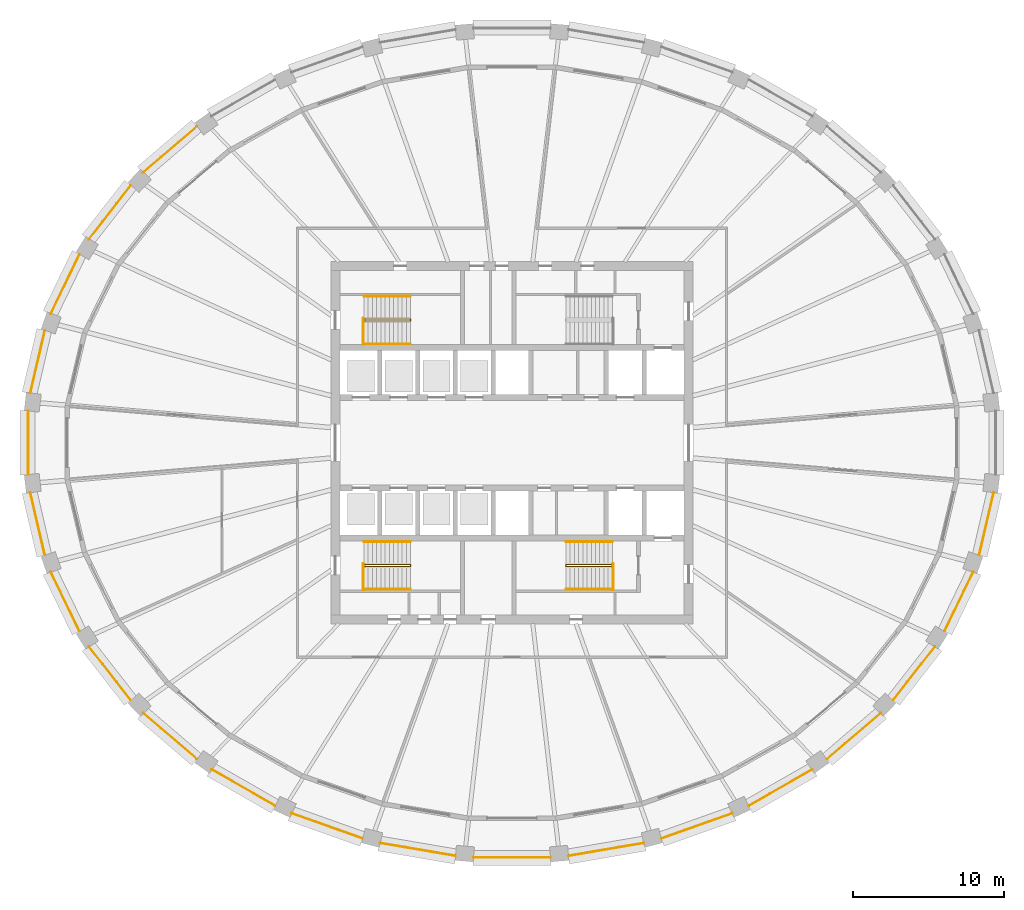
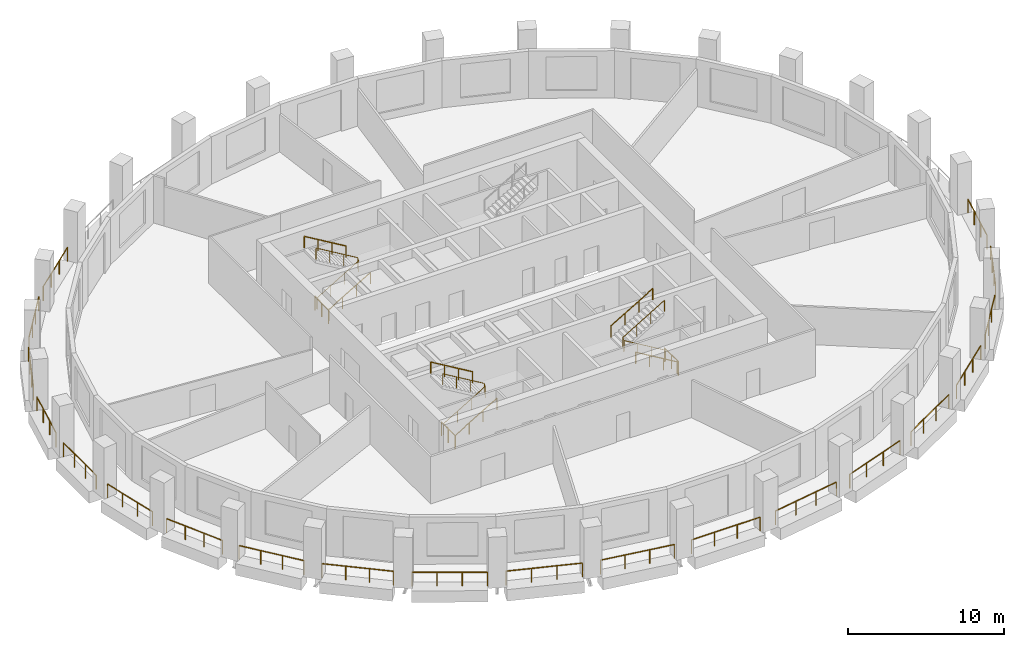
# One storey, part 8 of 10: 32 railings.
"""IFC4 building model written with IfcOpenShell, lengths in metres."""

from ifc_helpers import new_model, si_unit, direction, frame, origin, origin_2d, place, context, subcontext, project, spatial, circle, extrude, material, type_object, element, save


model = new_model("IFC4")

# Units and contexts
model_context = context("Model", 3, precision=1e-05, world=origin(), true_north=direction((0.0, 1.0)))
body_context = subcontext(model_context, "Body", "Model", "MODEL_VIEW")
ifc_project = project(units=[si_unit("LENGTHUNIT", "METRE"), si_unit("AREAUNIT", "SQUARE_METRE"), si_unit("VOLUMEUNIT", "CUBIC_METRE"), si_unit("PLANEANGLEUNIT", "RADIAN"), si_unit("MASSUNIT", "GRAM", prefix="KILO")], contexts=[model_context])

# Site, building, storey
site_placement = place(None, origin())
site = spatial("IfcSite", under=ifc_project, at=site_placement, CompositionType="ELEMENT")
building_placement = place(site_placement, origin())
building = spatial("IfcBuilding", under=site, at=building_placement, Name="Halqa Exchange Tower", CompositionType="ELEMENT")
storey_placement = place(building_placement, frame((0.0, 0.0, 210.89990234375)))
storey = spatial("IfcBuildingStorey", under=building, at=storey_placement, Name="L48", CompositionType="ELEMENT", Elevation=210.89990234375)

# Railings
ifc_material = material(Name="Stainless steel", Category="steel")
railing_type_1 = type_object("IfcRailingType", Name="Guard 1100 stainless steel", PredefinedType="GUARDRAIL", material=ifc_material)
railing_1_placement = place(storey_placement, frame((-20.87646484375, 20.937744140625, 0.0)))
element("IfcRailing", 1, at=railing_1_placement, inside=storey, type_object=railing_type_1, Name="Loggia guard 12", PredefinedType="GUARDRAIL", context=body_context, shape_type="SweptSolid", body=[
    extrude(circle(Radius=0.02392578125, at=origin_2d()), frame((0.0, 0.0, 1.076171875), z_axis=(-0.759260287114, -0.650787074558, 0.0), x_axis=(0.650787074558, -0.759260287114, 0.0)), (0.0, 0.0, 1.0), 4.677001953125),
    extrude(circle(Radius=0.02099609375, at=origin_2d()), origin(), (0.0, 0.0, 1.0), 1.052001953125),
    extrude(circle(Radius=0.02099609375, at=origin_2d()), frame((-1.18359375, -1.0146484375, 0.0)), (0.0, 0.0, 1.0), 1.052001953125),
    extrude(circle(Radius=0.02099609375, at=origin_2d()), frame((-2.367431640625, -2.029052734375, 0.0)), (0.0, 0.0, 1.0), 1.052001953125),
    extrude(circle(Radius=0.02099609375, at=origin_2d()), frame((-3.551025390625, -3.043701171875, 0.0)), (0.0, 0.0, 1.0), 1.052001953125),
])
railing_2_placement = place(storey_placement, frame((-25.251953125, 17.030517578125, 0.0)))
element("IfcRailing", 2, at=railing_2_placement, inside=storey, type_object=railing_type_1, Name="Loggia guard 13", PredefinedType="GUARDRAIL", context=body_context, shape_type="SweptSolid", body=[
    extrude(circle(Radius=0.02392578125, at=origin_2d()), frame((0.0, 0.0, 1.076171875), z_axis=(-0.614792407737, -0.788688972529, 0.0), x_axis=(0.788688972529, -0.614792407737, 0.0)), (0.0, 0.0, 1.0), 4.50244140625),
    extrude(circle(Radius=0.02099609375, at=origin_2d()), origin(), (0.0, 0.0, 1.0), 1.052001953125),
    extrude(circle(Radius=0.02099609375, at=origin_2d()), frame((-0.922607421875, -1.18359375, 0.0)), (0.0, 0.0, 1.0), 1.052001953125),
    extrude(circle(Radius=0.02099609375, at=origin_2d()), frame((-1.845458984375, -2.367431640625, 0.0)), (0.0, 0.0, 1.0), 1.052001953125),
    extrude(circle(Radius=0.02099609375, at=origin_2d()), frame((-2.76806640625, -3.551025390625, 0.0)), (0.0, 0.0, 1.0), 1.052001953125),
])
railing_3_placement = place(storey_placement, frame((-28.64990234375, 12.46630859375, 0.0)))
element("IfcRailing", 3, at=railing_3_placement, inside=storey, type_object=railing_type_1, Name="Loggia guard 14", PredefinedType="GUARDRAIL", context=body_context, shape_type="SweptSolid", body=[
    extrude(circle(Radius=0.02392578125, at=origin_2d()), frame((0.0, 0.0, 1.076171875), z_axis=(-0.435072359018, -0.900395492225, 0.0), x_axis=(0.900395492225, -0.435072359018, 0.0)), (0.0, 0.0, 1.0), 4.35009765625),
    extrude(circle(Radius=0.02099609375, at=origin_2d()), origin(), (0.0, 0.0, 1.0), 1.052001953125),
    extrude(circle(Radius=0.02099609375, at=origin_2d()), frame((-0.630859375, -1.3056640625, 0.0)), (0.0, 0.0, 1.0), 1.052001953125),
    extrude(circle(Radius=0.02099609375, at=origin_2d()), frame((-1.26171875, -2.611083984375, 0.0)), (0.0, 0.0, 1.0), 1.052001953125),
    extrude(circle(Radius=0.02099609375, at=origin_2d()), frame((-1.892578125, -3.916748046875, 0.0)), (0.0, 0.0, 1.0), 1.052001953125),
])
railing_4_placement = place(storey_placement, frame((-30.939208984375, 7.4248046875, 0.0)))
element("IfcRailing", 4, at=railing_4_placement, inside=storey, type_object=railing_type_1, Name="Loggia guard 15", PredefinedType="GUARDRAIL", context=body_context, shape_type="SweptSolid", body=[
    extrude(circle(Radius=0.02392578125, at=origin_2d()), frame((0.0, 0.0, 1.076171875), z_axis=(-0.226089761514, -0.974106472486, 0.0), x_axis=(0.974106472486, -0.226089761514, 0.0)), (0.0, 0.0, 1.0), 4.245849609375),
    extrude(circle(Radius=0.02099609375, at=origin_2d()), origin(), (0.0, 0.0, 1.0), 1.052001953125),
    extrude(circle(Radius=0.02099609375, at=origin_2d()), frame((-0.320068359375, -1.378662109375, 0.0)), (0.0, 0.0, 1.0), 1.052001953125),
    extrude(circle(Radius=0.02099609375, at=origin_2d()), frame((-0.639892578125, -2.75732421875, 0.0)), (0.0, 0.0, 1.0), 1.052001953125),
    extrude(circle(Radius=0.02099609375, at=origin_2d()), frame((-0.9599609375, -4.135986328125, 0.0)), (0.0, 0.0, 1.0), 1.052001953125),
])
railing_5_placement = place(storey_placement, frame((-32.034912109375, 2.1044921875, 0.0)))
element("IfcRailing", 5, at=railing_5_placement, inside=storey, type_object=railing_type_1, Name="Loggia guard 16", PredefinedType="GUARDRAIL", context=body_context, shape_type="SweptSolid", body=[
    extrude(circle(Radius=0.02392578125, at=origin_2d()), frame((0.0, 0.0, 1.076171875), z_axis=(0.0, -1.0, 0.0), x_axis=(1.0, 0.0, 0.0)), (0.0, 0.0, 1.0), 4.208984375),
    extrude(circle(Radius=0.02099609375, at=origin_2d()), origin(), (0.0, 0.0, 1.0), 1.052001953125),
    extrude(circle(Radius=0.02099609375, at=origin_2d()), frame((0.0, -1.403076171875, 0.0)), (0.0, 0.0, 1.0), 1.052001953125),
    extrude(circle(Radius=0.02099609375, at=origin_2d()), frame((0.0, -2.805908203125, 0.0)), (0.0, 0.0, 1.0), 1.052001953125),
    extrude(circle(Radius=0.02099609375, at=origin_2d()), frame((0.0, -4.208984375, 0.0)), (0.0, 0.0, 1.0), 1.052001953125),
])
railing_6_placement = place(storey_placement, frame((-31.899169921875, -3.288818359375, 0.0)))
element("IfcRailing", 6, at=railing_6_placement, inside=storey, type_object=railing_type_1, Name="Loggia guard 17", PredefinedType="GUARDRAIL", context=body_context, shape_type="SweptSolid", body=[
    extrude(circle(Radius=0.02392578125, at=origin_2d()), frame((0.0, 0.0, 1.076171875), z_axis=(0.226089761514, -0.974106472486, 0.0), x_axis=(0.974106472486, 0.226089761514, 0.0)), (0.0, 0.0, 1.0), 4.245849609375),
    extrude(circle(Radius=0.02099609375, at=origin_2d()), origin(), (0.0, 0.0, 1.0), 1.052001953125),
    extrude(circle(Radius=0.02099609375, at=origin_2d()), frame((0.320068359375, -1.378662109375, 0.0)), (0.0, 0.0, 1.0), 1.052001953125),
    extrude(circle(Radius=0.02099609375, at=origin_2d()), frame((0.639892578125, -2.75732421875, 0.0)), (0.0, 0.0, 1.0), 1.052001953125),
    extrude(circle(Radius=0.02099609375, at=origin_2d()), frame((0.9599609375, -4.135986328125, 0.0)), (0.0, 0.0, 1.0), 1.052001953125),
])
railing_7_placement = place(storey_placement, frame((-30.54248046875, -8.549560546875, 0.0)))
element("IfcRailing", 7, at=railing_7_placement, inside=storey, type_object=railing_type_1, Name="Loggia guard 18", PredefinedType="GUARDRAIL", context=body_context, shape_type="SweptSolid", body=[
    extrude(circle(Radius=0.02392578125, at=origin_2d()), frame((0.0, 0.0, 1.076171875), z_axis=(0.435072359018, -0.900395492225, 0.0), x_axis=(0.900395492225, 0.435072359018, 0.0)), (0.0, 0.0, 1.0), 4.35009765625),
    extrude(circle(Radius=0.02099609375, at=origin_2d()), origin(), (0.0, 0.0, 1.0), 1.052001953125),
    extrude(circle(Radius=0.02099609375, at=origin_2d()), frame((0.630859375, -1.3056640625, 0.0)), (0.0, 0.0, 1.0), 1.052001953125),
    extrude(circle(Radius=0.02099609375, at=origin_2d()), frame((1.26171875, -2.611083984375, 0.0)), (0.0, 0.0, 1.0), 1.052001953125),
    extrude(circle(Radius=0.02099609375, at=origin_2d()), frame((1.892578125, -3.916748046875, 0.0)), (0.0, 0.0, 1.0), 1.052001953125),
])
railing_8_placement = place(storey_placement, frame((-28.02001953125, -13.4794921875, 0.0)))
element("IfcRailing", 8, at=railing_8_placement, inside=storey, type_object=railing_type_1, Name="Loggia guard 19", PredefinedType="GUARDRAIL", context=body_context, shape_type="SweptSolid", body=[
    extrude(circle(Radius=0.02392578125, at=origin_2d()), frame((0.0, 0.0, 1.076171875), z_axis=(0.614792407737, -0.788688972529, 0.0), x_axis=(0.788688972529, 0.614792407737, 0.0)), (0.0, 0.0, 1.0), 4.50244140625),
    extrude(circle(Radius=0.02099609375, at=origin_2d()), origin(), (0.0, 0.0, 1.0), 1.052001953125),
    extrude(circle(Radius=0.02099609375, at=origin_2d()), frame((0.922607421875, -1.18359375, 0.0)), (0.0, 0.0, 1.0), 1.052001953125),
    extrude(circle(Radius=0.02099609375, at=origin_2d()), frame((1.845458984375, -2.367431640625, 0.0)), (0.0, 0.0, 1.0), 1.052001953125),
    extrude(circle(Radius=0.02099609375, at=origin_2d()), frame((2.76806640625, -3.551025390625, 0.0)), (0.0, 0.0, 1.0), 1.052001953125),
])
railing_9_placement = place(storey_placement, frame((-24.427490234375, -17.89404296875, 0.0)))
element("IfcRailing", 9, at=railing_9_placement, inside=storey, type_object=railing_type_1, Name="Loggia guard 20", PredefinedType="GUARDRAIL", context=body_context, shape_type="SweptSolid", body=[
    extrude(circle(Radius=0.02392578125, at=origin_2d()), frame((0.0, 0.0, 1.076171875), z_axis=(0.759260287114, -0.650787074558, 0.0), x_axis=(0.650787074558, 0.759260287114, 0.0)), (0.0, 0.0, 1.0), 4.677001953125),
    extrude(circle(Radius=0.02099609375, at=origin_2d()), origin(), (0.0, 0.0, 1.0), 1.052001953125),
    extrude(circle(Radius=0.02099609375, at=origin_2d()), frame((1.18359375, -1.0146484375, 0.0)), (0.0, 0.0, 1.0), 1.052001953125),
    extrude(circle(Radius=0.02099609375, at=origin_2d()), frame((2.367431640625, -2.029052734375, 0.0)), (0.0, 0.0, 1.0), 1.052001953125),
    extrude(circle(Radius=0.02099609375, at=origin_2d()), frame((3.551025390625, -3.043701171875, 0.0)), (0.0, 0.0, 1.0), 1.052001953125),
])
railing_10_placement = place(storey_placement, frame((-19.900390625, -21.62646484375, 0.0)))
element("IfcRailing", 10, at=railing_10_placement, inside=storey, type_object=railing_type_1, Name="Loggia guard 21", PredefinedType="GUARDRAIL", context=body_context, shape_type="SweptSolid", body=[
    extrude(circle(Radius=0.02392578125, at=origin_2d()), frame((0.0, 0.0, 1.076171875), z_axis=(0.867774647635, -0.49695790659, 0.0), x_axis=(0.49695790659, 0.867774647635, 0.0)), (0.0, 0.0, 1.0), 4.846435546875),
    extrude(circle(Radius=0.02099609375, at=origin_2d()), origin(), (0.0, 0.0, 1.0), 1.052001953125),
    extrude(circle(Radius=0.02099609375, at=origin_2d()), frame((1.40185546875, -0.802734375, 0.0)), (0.0, 0.0, 1.0), 1.052001953125),
    extrude(circle(Radius=0.02099609375, at=origin_2d()), frame((2.8037109375, -1.605712890625, 0.0)), (0.0, 0.0, 1.0), 1.052001953125),
    extrude(circle(Radius=0.02099609375, at=origin_2d()), frame((4.20556640625, -2.408447265625, 0.0)), (0.0, 0.0, 1.0), 1.052001953125),
])
railing_11_placement = place(storey_placement, frame((-14.608642578125, -24.533935546875, 0.0)))
element("IfcRailing", 11, at=railing_11_placement, inside=storey, type_object=railing_type_1, Name="Loggia guard 22", PredefinedType="GUARDRAIL", context=body_context, shape_type="SweptSolid", body=[
    extrude(circle(Radius=0.02392578125, at=origin_2d()), frame((0.0, 0.0, 1.076171875), z_axis=(0.942359532922, -0.334602018392, 0.0), x_axis=(0.334602018392, 0.942359532922, 0.0)), (0.0, 0.0, 1.0), 4.986328125),
    extrude(circle(Radius=0.02099609375, at=origin_2d()), origin(), (0.0, 0.0, 1.0), 1.052001953125),
    extrude(circle(Radius=0.02099609375, at=origin_2d()), frame((1.56640625, -0.55615234375, 0.0)), (0.0, 0.0, 1.0), 1.052001953125),
    extrude(circle(Radius=0.02099609375, at=origin_2d()), frame((3.132568359375, -1.1123046875, 0.0)), (0.0, 0.0, 1.0), 1.052001953125),
    extrude(circle(Radius=0.02099609375, at=origin_2d()), frame((4.698974609375, -1.66845703125, 0.0)), (0.0, 0.0, 1.0), 1.052001953125),
])
railing_12_placement = place(storey_placement, frame((-8.752685546875, -26.50390625, 0.0)))
element("IfcRailing", 12, at=railing_12_placement, inside=storey, type_object=railing_type_1, Name="Loggia guard 23", PredefinedType="GUARDRAIL", context=body_context, shape_type="SweptSolid", body=[
    extrude(circle(Radius=0.02392578125, at=origin_2d()), frame((0.0, 0.0, 1.076171875), z_axis=(0.985775109428, -0.168069728484, 0.0), x_axis=(0.168069728484, 0.985775109428, 0.0)), (0.0, 0.0, 1.0), 5.078369140625),
    extrude(circle(Radius=0.02099609375, at=origin_2d()), origin(), (0.0, 0.0, 1.0), 1.052001953125),
    extrude(circle(Radius=0.02099609375, at=origin_2d()), frame((1.668701171875, -0.284423828125, 0.0)), (0.0, 0.0, 1.0), 1.052001953125),
    extrude(circle(Radius=0.02099609375, at=origin_2d()), frame((3.33740234375, -0.569091796875, 0.0)), (0.0, 0.0, 1.0), 1.052001953125),
    extrude(circle(Radius=0.02099609375, at=origin_2d()), frame((5.006103515625, -0.853515625, 0.0)), (0.0, 0.0, 1.0), 1.052001953125),
])
railing_13_placement = place(storey_placement, frame((-2.55517578125, -27.458251953125, 0.0)))
element("IfcRailing", 13, at=railing_13_placement, inside=storey, type_object=railing_type_1, Name="Loggia guard 24", PredefinedType="GUARDRAIL", context=body_context, shape_type="SweptSolid", body=[
    extrude(circle(Radius=0.02392578125, at=origin_2d()), frame((0.0, 0.0, 1.076171875), z_axis=(1.0, 0.0, 0.0), x_axis=(0.0, 1.0, 0.0)), (0.0, 0.0, 1.0), 5.1103515625),
    extrude(circle(Radius=0.02099609375, at=origin_2d()), origin(), (0.0, 0.0, 1.0), 1.052001953125),
    extrude(circle(Radius=0.02099609375, at=origin_2d()), frame((1.703369140625, 0.0, 0.0)), (0.0, 0.0, 1.0), 1.052001953125),
    extrude(circle(Radius=0.02099609375, at=origin_2d()), frame((3.406982421875, 0.0, 0.0)), (0.0, 0.0, 1.0), 1.052001953125),
    extrude(circle(Radius=0.02099609375, at=origin_2d()), frame((5.1103515625, 0.0, 0.0)), (0.0, 0.0, 1.0), 1.052001953125),
])
railing_14_placement = place(storey_placement, frame((3.74658203125, -27.357421875, 0.0)))
element("IfcRailing", 14, at=railing_14_placement, inside=storey, type_object=railing_type_1, Name="Loggia guard 25", PredefinedType="GUARDRAIL", context=body_context, shape_type="SweptSolid", body=[
    extrude(circle(Radius=0.02392578125, at=origin_2d()), frame((0.0, 0.0, 1.076171875), z_axis=(0.985775109428, 0.168069728484, 0.0), x_axis=(-0.168069728484, 0.985775109428, 0.0)), (0.0, 0.0, 1.0), 5.078369140625),
    extrude(circle(Radius=0.02099609375, at=origin_2d()), origin(), (0.0, 0.0, 1.0), 1.052001953125),
    extrude(circle(Radius=0.02099609375, at=origin_2d()), frame((1.668701171875, 0.284423828125, 0.0)), (0.0, 0.0, 1.0), 1.052001953125),
    extrude(circle(Radius=0.02099609375, at=origin_2d()), frame((3.33740234375, 0.569091796875, 0.0)), (0.0, 0.0, 1.0), 1.052001953125),
    extrude(circle(Radius=0.02099609375, at=origin_2d()), frame((5.006103515625, 0.853515625, 0.0)), (0.0, 0.0, 1.0), 1.052001953125),
])
railing_15_placement = place(storey_placement, frame((9.90966796875, -26.202392578125, 0.0)))
element("IfcRailing", 15, at=railing_15_placement, inside=storey, type_object=railing_type_1, Name="Loggia guard 26", PredefinedType="GUARDRAIL", context=body_context, shape_type="SweptSolid", body=[
    extrude(circle(Radius=0.02392578125, at=origin_2d()), frame((0.0, 0.0, 1.076171875), z_axis=(0.942359532922, 0.334602018392, 0.0), x_axis=(-0.334602018392, 0.942359532922, 0.0)), (0.0, 0.0, 1.0), 4.986328125),
    extrude(circle(Radius=0.02099609375, at=origin_2d()), origin(), (0.0, 0.0, 1.0), 1.052001953125),
    extrude(circle(Radius=0.02099609375, at=origin_2d()), frame((1.56640625, 0.55615234375, 0.0)), (0.0, 0.0, 1.0), 1.052001953125),
    extrude(circle(Radius=0.02099609375, at=origin_2d()), frame((3.132568359375, 1.1123046875, 0.0)), (0.0, 0.0, 1.0), 1.052001953125),
    extrude(circle(Radius=0.02099609375, at=origin_2d()), frame((4.698974609375, 1.66845703125, 0.0)), (0.0, 0.0, 1.0), 1.052001953125),
])
railing_16_placement = place(storey_placement, frame((15.69482421875, -24.034912109375, 0.0)))
element("IfcRailing", 16, at=railing_16_placement, inside=storey, type_object=railing_type_1, Name="Loggia guard 27", PredefinedType="GUARDRAIL", context=body_context, shape_type="SweptSolid", body=[
    extrude(circle(Radius=0.02392578125, at=origin_2d()), frame((0.0, 0.0, 1.076171875), z_axis=(0.867774647635, 0.49695790659, 0.0), x_axis=(-0.49695790659, 0.867774647635, 0.0)), (0.0, 0.0, 1.0), 4.846435546875),
    extrude(circle(Radius=0.02099609375, at=origin_2d()), origin(), (0.0, 0.0, 1.0), 1.052001953125),
    extrude(circle(Radius=0.02099609375, at=origin_2d()), frame((1.40185546875, 0.802734375, 0.0)), (0.0, 0.0, 1.0), 1.052001953125),
    extrude(circle(Radius=0.02099609375, at=origin_2d()), frame((2.8037109375, 1.605712890625, 0.0)), (0.0, 0.0, 1.0), 1.052001953125),
    extrude(circle(Radius=0.02099609375, at=origin_2d()), frame((4.20556640625, 2.408447265625, 0.0)), (0.0, 0.0, 1.0), 1.052001953125),
])
railing_17_placement = place(storey_placement, frame((20.87646484375, -20.937744140625, 0.0)))
element("IfcRailing", 17, at=railing_17_placement, inside=storey, type_object=railing_type_1, Name="Loggia guard 28", PredefinedType="GUARDRAIL", context=body_context, shape_type="SweptSolid", body=[
    extrude(circle(Radius=0.02392578125, at=origin_2d()), frame((0.0, 0.0, 1.076171875), z_axis=(0.759260287114, 0.650787074558, 0.0), x_axis=(-0.650787074558, 0.759260287114, 0.0)), (0.0, 0.0, 1.0), 4.677001953125),
    extrude(circle(Radius=0.02099609375, at=origin_2d()), origin(), (0.0, 0.0, 1.0), 1.052001953125),
    extrude(circle(Radius=0.02099609375, at=origin_2d()), frame((1.18359375, 1.0146484375, 0.0)), (0.0, 0.0, 1.0), 1.052001953125),
    extrude(circle(Radius=0.02099609375, at=origin_2d()), frame((2.367431640625, 2.029052734375, 0.0)), (0.0, 0.0, 1.0), 1.052001953125),
    extrude(circle(Radius=0.02099609375, at=origin_2d()), frame((3.551025390625, 3.043701171875, 0.0)), (0.0, 0.0, 1.0), 1.052001953125),
])
railing_18_placement = place(storey_placement, frame((25.251953125, -17.030517578125, 0.0)))
element("IfcRailing", 18, at=railing_18_placement, inside=storey, type_object=railing_type_1, Name="Loggia guard 29", PredefinedType="GUARDRAIL", context=body_context, shape_type="SweptSolid", body=[
    extrude(circle(Radius=0.02392578125, at=origin_2d()), frame((0.0, 0.0, 1.076171875), z_axis=(0.614792407737, 0.788688972529, 0.0), x_axis=(-0.788688972529, 0.614792407737, 0.0)), (0.0, 0.0, 1.0), 4.50244140625),
    extrude(circle(Radius=0.02099609375, at=origin_2d()), origin(), (0.0, 0.0, 1.0), 1.052001953125),
    extrude(circle(Radius=0.02099609375, at=origin_2d()), frame((0.922607421875, 1.18359375, 0.0)), (0.0, 0.0, 1.0), 1.052001953125),
    extrude(circle(Radius=0.02099609375, at=origin_2d()), frame((1.845458984375, 2.367431640625, 0.0)), (0.0, 0.0, 1.0), 1.052001953125),
    extrude(circle(Radius=0.02099609375, at=origin_2d()), frame((2.76806640625, 3.551025390625, 0.0)), (0.0, 0.0, 1.0), 1.052001953125),
])
railing_19_placement = place(storey_placement, frame((28.64990234375, -12.46630859375, 0.0)))
element("IfcRailing", 19, at=railing_19_placement, inside=storey, type_object=railing_type_1, Name="Loggia guard 30", PredefinedType="GUARDRAIL", context=body_context, shape_type="SweptSolid", body=[
    extrude(circle(Radius=0.02392578125, at=origin_2d()), frame((0.0, 0.0, 1.076171875), z_axis=(0.435072359018, 0.900395492225, 0.0), x_axis=(-0.900395492225, 0.435072359018, 0.0)), (0.0, 0.0, 1.0), 4.35009765625),
    extrude(circle(Radius=0.02099609375, at=origin_2d()), origin(), (0.0, 0.0, 1.0), 1.052001953125),
    extrude(circle(Radius=0.02099609375, at=origin_2d()), frame((0.630859375, 1.3056640625, 0.0)), (0.0, 0.0, 1.0), 1.052001953125),
    extrude(circle(Radius=0.02099609375, at=origin_2d()), frame((1.26171875, 2.611083984375, 0.0)), (0.0, 0.0, 1.0), 1.052001953125),
    extrude(circle(Radius=0.02099609375, at=origin_2d()), frame((1.892578125, 3.916748046875, 0.0)), (0.0, 0.0, 1.0), 1.052001953125),
])
railing_20_placement = place(storey_placement, frame((30.939208984375, -7.4248046875, 0.0)))
element("IfcRailing", 20, at=railing_20_placement, inside=storey, type_object=railing_type_1, Name="Loggia guard 31", PredefinedType="GUARDRAIL", context=body_context, shape_type="SweptSolid", body=[
    extrude(circle(Radius=0.02392578125, at=origin_2d()), frame((0.0, 0.0, 1.076171875), z_axis=(0.226089761514, 0.974106472486, 0.0), x_axis=(-0.974106472486, 0.226089761514, 0.0)), (0.0, 0.0, 1.0), 4.245849609375),
    extrude(circle(Radius=0.02099609375, at=origin_2d()), origin(), (0.0, 0.0, 1.0), 1.052001953125),
    extrude(circle(Radius=0.02099609375, at=origin_2d()), frame((0.320068359375, 1.378662109375, 0.0)), (0.0, 0.0, 1.0), 1.052001953125),
    extrude(circle(Radius=0.02099609375, at=origin_2d()), frame((0.639892578125, 2.75732421875, 0.0)), (0.0, 0.0, 1.0), 1.052001953125),
    extrude(circle(Radius=0.02099609375, at=origin_2d()), frame((0.9599609375, 4.135986328125, 0.0)), (0.0, 0.0, 1.0), 1.052001953125),
])
railing_type_2 = type_object("IfcRailingType", Name="Stair handrail 900", PredefinedType="HANDRAIL", material=ifc_material)
railing_21_placement = place(storey_placement, frame((-9.800048828125, 8.06005859375, 0.166748046875)))
element("IfcRailing", 21, at=railing_21_placement, inside=storey, type_object=railing_type_2, Name="Handrail ST1.1", PredefinedType="HANDRAIL", context=body_context, shape_type="SweptSolid", body=[
    extrude(circle(Radius=0.02392578125, at=origin_2d()), frame((0.0, 0.0, 0.8759765625), z_axis=(0.859308565015, 0.0, 0.511457515432), x_axis=(0.0, 1.0, 0.0)), (0.0, 0.0, 1.0), 3.58447265625),
    extrude(circle(Radius=0.02392578125, at=origin_2d()), frame((3.080078125, 0.0, 2.708984375), z_axis=(0.0, 0.614500226555, 0.788916644243), x_axis=(-1.0, 0.0, 0.0)), (0.0, 0.0, 1.0), 0.21142578125),
    extrude(circle(Radius=0.02392578125, at=origin_2d()), frame((3.080078125, 0.1298828125, 2.8759765625), z_axis=(-0.859308565015, 0.0, 0.511457515432), x_axis=(0.0, -1.0, 0.0)), (0.0, 0.0, 1.0), 3.58447265625),
    extrude(circle(Radius=0.02099609375, at=origin_2d()), origin(), (0.0, 0.0, 1.0), 0.851806640625),
    extrude(circle(Radius=0.02099609375, at=origin_2d()), frame((1.026611328125, 0.0, 0.611083984375)), (0.0, 0.0, 1.0), 0.851806640625),
    extrude(circle(Radius=0.02099609375, at=origin_2d()), frame((2.053466796875, 0.0, 1.22216796875)), (0.0, 0.0, 1.0), 0.851806640625),
    extrude(circle(Radius=0.02099609375, at=origin_2d()), frame((3.080078125, 0.0, 1.833251953125)), (0.0, 0.0, 1.0), 0.851806640625),
    extrude(circle(Radius=0.02099609375, at=origin_2d()), frame((3.080078125, 0.1298828125, 2.0)), (0.0, 0.0, 1.0), 0.851806640625),
    extrude(circle(Radius=0.02099609375, at=origin_2d()), frame((2.053466796875, 0.1298828125, 2.611083984375)), (0.0, 0.0, 1.0), 0.851806640625),
    extrude(circle(Radius=0.02099609375, at=origin_2d()), frame((1.026611328125, 0.1298828125, 3.22216796875)), (0.0, 0.0, 1.0), 0.851806640625),
    extrude(circle(Radius=0.02099609375, at=origin_2d()), frame((0.0, 0.1298828125, 3.833251953125)), (0.0, 0.0, 1.0), 0.851806640625),
])
railing_22_placement = place(storey_placement, frame((-9.800048828125, 6.550048828125, 0.166748046875)))
element("IfcRailing", 22, at=railing_22_placement, inside=storey, type_object=railing_type_2, Name="Handrail ST1.2", PredefinedType="HANDRAIL", context=body_context, shape_type="SweptSolid", body=[
    extrude(circle(Radius=0.02392578125, at=origin_2d()), frame((0.0, 0.0, 0.8759765625), z_axis=(0.859308565015, 0.0, 0.511457515432), x_axis=(0.0, 1.0, 0.0)), (0.0, 0.0, 1.0), 3.58447265625),
    extrude(circle(Radius=0.02099609375, at=origin_2d()), origin(), (0.0, 0.0, 1.0), 0.851806640625),
    extrude(circle(Radius=0.02099609375, at=origin_2d()), frame((1.026611328125, 0.0, 0.611083984375)), (0.0, 0.0, 1.0), 0.851806640625),
    extrude(circle(Radius=0.02099609375, at=origin_2d()), frame((2.053466796875, 0.0, 1.22216796875)), (0.0, 0.0, 1.0), 0.851806640625),
    extrude(circle(Radius=0.02099609375, at=origin_2d()), frame((3.080078125, 0.0, 1.833251953125)), (0.0, 0.0, 1.0), 0.851806640625),
])
railing_23_placement = place(storey_placement, frame((-6.719970703125, 9.699951171875, 2.166748046875)))
element("IfcRailing", 23, at=railing_23_placement, inside=storey, type_object=railing_type_2, Name="Handrail ST1.3", PredefinedType="HANDRAIL", context=body_context, shape_type="SweptSolid", body=[
    extrude(circle(Radius=0.02392578125, at=origin_2d()), frame((0.0, 0.0, 0.8759765625), z_axis=(-0.859308565015, 0.0, 0.511457515432), x_axis=(0.0, -1.0, 0.0)), (0.0, 0.0, 1.0), 3.58447265625),
    extrude(circle(Radius=0.02099609375, at=origin_2d()), origin(), (0.0, 0.0, 1.0), 0.851806640625),
    extrude(circle(Radius=0.02099609375, at=origin_2d()), frame((-1.026611328125, 0.0, 0.611083984375)), (0.0, 0.0, 1.0), 0.851806640625),
    extrude(circle(Radius=0.02099609375, at=origin_2d()), frame((-2.053466796875, 0.0, 1.22216796875)), (0.0, 0.0, 1.0), 0.851806640625),
    extrude(circle(Radius=0.02099609375, at=origin_2d()), frame((-3.080078125, 0.0, 1.833251953125)), (0.0, 0.0, 1.0), 0.851806640625),
])
railing_24_placement = place(storey_placement, frame((-9.800048828125, -8.18994140625, 0.166748046875)))
element("IfcRailing", 24, at=railing_24_placement, inside=storey, type_object=railing_type_2, Name="Handrail ST3.1", PredefinedType="HANDRAIL", context=body_context, shape_type="SweptSolid", body=[
    extrude(circle(Radius=0.02392578125, at=origin_2d()), frame((0.0, 0.0, 0.8759765625), z_axis=(0.859308565015, 0.0, 0.511457515432), x_axis=(0.0, 1.0, 0.0)), (0.0, 0.0, 1.0), 3.58447265625),
    extrude(circle(Radius=0.02392578125, at=origin_2d()), frame((3.080078125, 0.0, 2.708984375), z_axis=(0.0, 0.614500226555, 0.788916644243), x_axis=(-1.0, 0.0, 0.0)), (0.0, 0.0, 1.0), 0.21142578125),
    extrude(circle(Radius=0.02392578125, at=origin_2d()), frame((3.080078125, 0.1298828125, 2.8759765625), z_axis=(-0.859308565015, 0.0, 0.511457515432), x_axis=(0.0, -1.0, 0.0)), (0.0, 0.0, 1.0), 3.58447265625),
    extrude(circle(Radius=0.02099609375, at=origin_2d()), origin(), (0.0, 0.0, 1.0), 0.851806640625),
    extrude(circle(Radius=0.02099609375, at=origin_2d()), frame((1.026611328125, 0.0, 0.611083984375)), (0.0, 0.0, 1.0), 0.851806640625),
    extrude(circle(Radius=0.02099609375, at=origin_2d()), frame((2.053466796875, 0.0, 1.22216796875)), (0.0, 0.0, 1.0), 0.851806640625),
    extrude(circle(Radius=0.02099609375, at=origin_2d()), frame((3.080078125, 0.0, 1.833251953125)), (0.0, 0.0, 1.0), 0.851806640625),
    extrude(circle(Radius=0.02099609375, at=origin_2d()), frame((3.080078125, 0.1298828125, 2.0)), (0.0, 0.0, 1.0), 0.851806640625),
    extrude(circle(Radius=0.02099609375, at=origin_2d()), frame((2.053466796875, 0.1298828125, 2.611083984375)), (0.0, 0.0, 1.0), 0.851806640625),
    extrude(circle(Radius=0.02099609375, at=origin_2d()), frame((1.026611328125, 0.1298828125, 3.22216796875)), (0.0, 0.0, 1.0), 0.851806640625),
    extrude(circle(Radius=0.02099609375, at=origin_2d()), frame((0.0, 0.1298828125, 3.833251953125)), (0.0, 0.0, 1.0), 0.851806640625),
])
railing_25_placement = place(storey_placement, frame((-9.800048828125, -9.699951171875, 0.166748046875)))
element("IfcRailing", 25, at=railing_25_placement, inside=storey, type_object=railing_type_2, Name="Handrail ST3.2", PredefinedType="HANDRAIL", context=body_context, shape_type="SweptSolid", body=[
    extrude(circle(Radius=0.02392578125, at=origin_2d()), frame((0.0, 0.0, 0.8759765625), z_axis=(0.859308565015, 0.0, 0.511457515432), x_axis=(0.0, 1.0, 0.0)), (0.0, 0.0, 1.0), 3.58447265625),
    extrude(circle(Radius=0.02099609375, at=origin_2d()), origin(), (0.0, 0.0, 1.0), 0.851806640625),
    extrude(circle(Radius=0.02099609375, at=origin_2d()), frame((1.026611328125, 0.0, 0.611083984375)), (0.0, 0.0, 1.0), 0.851806640625),
    extrude(circle(Radius=0.02099609375, at=origin_2d()), frame((2.053466796875, 0.0, 1.22216796875)), (0.0, 0.0, 1.0), 0.851806640625),
    extrude(circle(Radius=0.02099609375, at=origin_2d()), frame((3.080078125, 0.0, 1.833251953125)), (0.0, 0.0, 1.0), 0.851806640625),
])
railing_26_placement = place(storey_placement, frame((-6.719970703125, -6.550048828125, 2.166748046875)))
element("IfcRailing", 26, at=railing_26_placement, inside=storey, type_object=railing_type_2, Name="Handrail ST3.3", PredefinedType="HANDRAIL", context=body_context, shape_type="SweptSolid", body=[
    extrude(circle(Radius=0.02392578125, at=origin_2d()), frame((0.0, 0.0, 0.8759765625), z_axis=(-0.859308565015, 0.0, 0.511457515432), x_axis=(0.0, -1.0, 0.0)), (0.0, 0.0, 1.0), 3.58447265625),
    extrude(circle(Radius=0.02099609375, at=origin_2d()), origin(), (0.0, 0.0, 1.0), 0.851806640625),
    extrude(circle(Radius=0.02099609375, at=origin_2d()), frame((-1.026611328125, 0.0, 0.611083984375)), (0.0, 0.0, 1.0), 0.851806640625),
    extrude(circle(Radius=0.02099609375, at=origin_2d()), frame((-2.053466796875, 0.0, 1.22216796875)), (0.0, 0.0, 1.0), 0.851806640625),
    extrude(circle(Radius=0.02099609375, at=origin_2d()), frame((-3.080078125, 0.0, 1.833251953125)), (0.0, 0.0, 1.0), 0.851806640625),
])
railing_27_placement = place(storey_placement, frame((6.64990234375, -8.18994140625, 0.166748046875)))
element("IfcRailing", 27, at=railing_27_placement, inside=storey, type_object=railing_type_2, Name="Handrail ST4.1", PredefinedType="HANDRAIL", context=body_context, shape_type="SweptSolid", body=[
    extrude(circle(Radius=0.02392578125, at=origin_2d()), frame((0.0, 0.0, 0.8759765625), z_axis=(-0.859290745958, 0.0, 0.51148745235), x_axis=(0.0, -1.0, 0.0)), (0.0, 0.0, 1.0), 3.584228515625),
    extrude(circle(Radius=0.02392578125, at=origin_2d()), frame((-3.079833984375, 0.0, 2.708984375), z_axis=(0.0, 0.614500226555, 0.788916644243), x_axis=(-1.0, 0.0, 0.0)), (0.0, 0.0, 1.0), 0.21142578125),
    extrude(circle(Radius=0.02392578125, at=origin_2d()), frame((-3.079833984375, 0.1298828125, 2.8759765625), z_axis=(0.859290745958, 0.0, 0.51148745235), x_axis=(0.0, 1.0, 0.0)), (0.0, 0.0, 1.0), 3.584228515625),
    extrude(circle(Radius=0.02099609375, at=origin_2d()), origin(), (0.0, 0.0, 1.0), 0.851806640625),
    extrude(circle(Radius=0.02099609375, at=origin_2d()), frame((-1.026611328125, 0.0, 0.611083984375)), (0.0, 0.0, 1.0), 0.851806640625),
    extrude(circle(Radius=0.02099609375, at=origin_2d()), frame((-2.05322265625, 0.0, 1.22216796875)), (0.0, 0.0, 1.0), 0.851806640625),
    extrude(circle(Radius=0.02099609375, at=origin_2d()), frame((-3.079833984375, 0.0, 1.833251953125)), (0.0, 0.0, 1.0), 0.851806640625),
    extrude(circle(Radius=0.02099609375, at=origin_2d()), frame((-3.079833984375, 0.1298828125, 2.0)), (0.0, 0.0, 1.0), 0.851806640625),
    extrude(circle(Radius=0.02099609375, at=origin_2d()), frame((-2.05322265625, 0.1298828125, 2.611083984375)), (0.0, 0.0, 1.0), 0.851806640625),
    extrude(circle(Radius=0.02099609375, at=origin_2d()), frame((-1.026611328125, 0.1298828125, 3.22216796875)), (0.0, 0.0, 1.0), 0.851806640625),
    extrude(circle(Radius=0.02099609375, at=origin_2d()), frame((0.0, 0.1298828125, 3.833251953125)), (0.0, 0.0, 1.0), 0.851806640625),
])
railing_28_placement = place(storey_placement, frame((6.64990234375, -9.699951171875, 0.166748046875)))
element("IfcRailing", 28, at=railing_28_placement, inside=storey, type_object=railing_type_2, Name="Handrail ST4.2", PredefinedType="HANDRAIL", context=body_context, shape_type="SweptSolid", body=[
    extrude(circle(Radius=0.02392578125, at=origin_2d()), frame((0.0, 0.0, 0.8759765625), z_axis=(-0.859290745958, 0.0, 0.51148745235), x_axis=(0.0, -1.0, 0.0)), (0.0, 0.0, 1.0), 3.584228515625),
    extrude(circle(Radius=0.02099609375, at=origin_2d()), origin(), (0.0, 0.0, 1.0), 0.851806640625),
    extrude(circle(Radius=0.02099609375, at=origin_2d()), frame((-1.026611328125, 0.0, 0.611083984375)), (0.0, 0.0, 1.0), 0.851806640625),
    extrude(circle(Radius=0.02099609375, at=origin_2d()), frame((-2.05322265625, 0.0, 1.22216796875)), (0.0, 0.0, 1.0), 0.851806640625),
    extrude(circle(Radius=0.02099609375, at=origin_2d()), frame((-3.079833984375, 0.0, 1.833251953125)), (0.0, 0.0, 1.0), 0.851806640625),
])
railing_29_placement = place(storey_placement, frame((3.570068359375, -6.550048828125, 2.166748046875)))
element("IfcRailing", 29, at=railing_29_placement, inside=storey, type_object=railing_type_2, Name="Handrail ST4.3", PredefinedType="HANDRAIL", context=body_context, shape_type="SweptSolid", body=[
    extrude(circle(Radius=0.02392578125, at=origin_2d()), frame((0.0, 0.0, 0.8759765625), z_axis=(0.859290745958, 0.0, 0.51148745235), x_axis=(0.0, 1.0, 0.0)), (0.0, 0.0, 1.0), 3.584228515625),
    extrude(circle(Radius=0.02099609375, at=origin_2d()), origin(), (0.0, 0.0, 1.0), 0.851806640625),
    extrude(circle(Radius=0.02099609375, at=origin_2d()), frame((1.026611328125, 0.0, 0.611083984375)), (0.0, 0.0, 1.0), 0.851806640625),
    extrude(circle(Radius=0.02099609375, at=origin_2d()), frame((2.05322265625, 0.0, 1.22216796875)), (0.0, 0.0, 1.0), 0.851806640625),
    extrude(circle(Radius=0.02099609375, at=origin_2d()), frame((3.079833984375, 0.0, 1.833251953125)), (0.0, 0.0, 1.0), 0.851806640625),
])
railing_type_3 = type_object("IfcRailingType", Name="Stair well guard 1100", PredefinedType="GUARDRAIL", material=ifc_material)
for number, where, name in (
    (30, (-9.85009765625, 6.5, 0.0), "Guard ST1 well"),
    (31, (-9.85009765625, -9.75, 0.0), "Guard ST3 well"),
    (32, (6.699951171875, -9.75, 0.0), "Guard ST4 well"),
):
    element("IfcRailing", number, at=place(storey_placement, frame(where)), inside=storey, type_object=railing_type_3, Name=name, PredefinedType="GUARDRAIL", context=body_context, shape_type="SweptSolid", body=[
        extrude(circle(Radius=0.02392578125, at=origin_2d()), frame((0.0, 0.0, 1.076171875), z_axis=(0.0, 1.0, 0.0), x_axis=(-1.0, 0.0, 0.0)), (0.0, 0.0, 1.0), 1.75),
        extrude(circle(Radius=0.02099609375, at=origin_2d()), origin(), (0.0, 0.0, 1.0), 1.052001953125),
        extrude(circle(Radius=0.02099609375, at=origin_2d()), frame((0.0, 0.875, 0.0)), (0.0, 0.0, 1.0), 1.052001953125),
        extrude(circle(Radius=0.02099609375, at=origin_2d()), frame((0.0, 1.75, 0.0)), (0.0, 0.0, 1.0), 1.052001953125),
    ])

save(model, "model.ifc")
